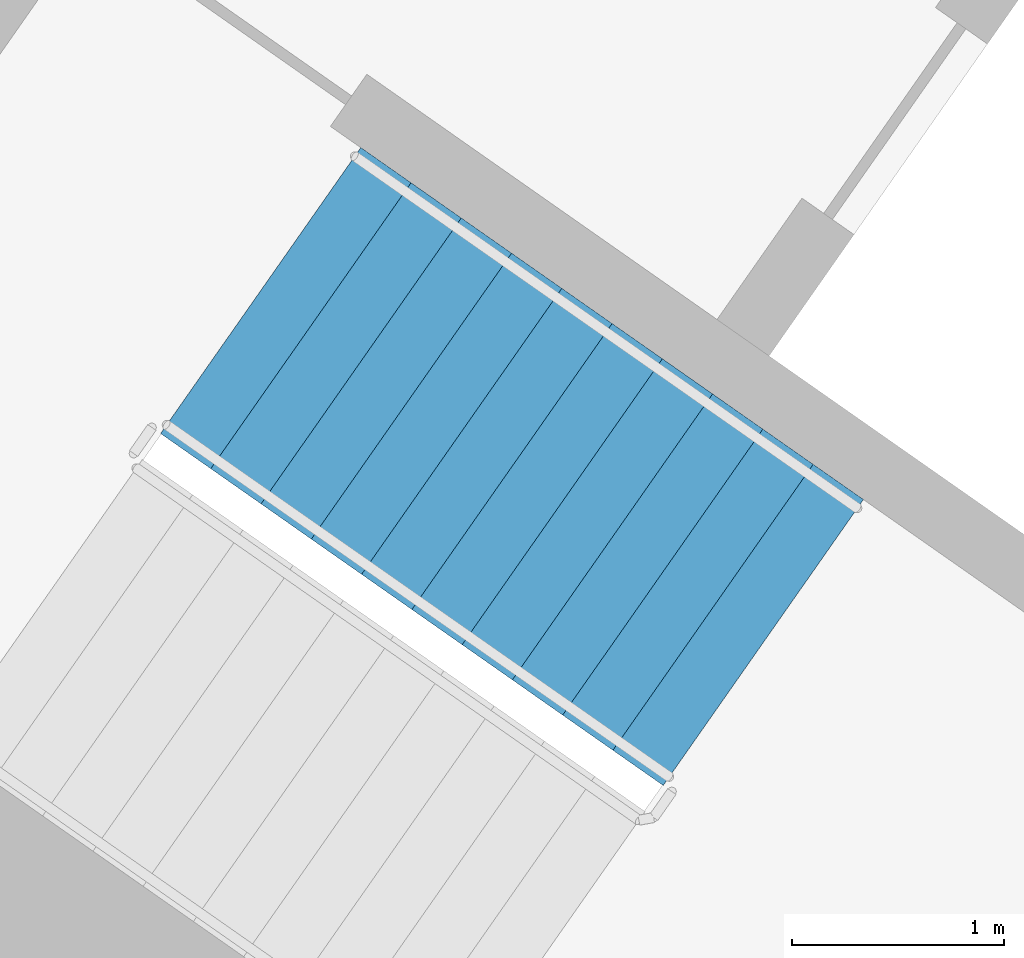
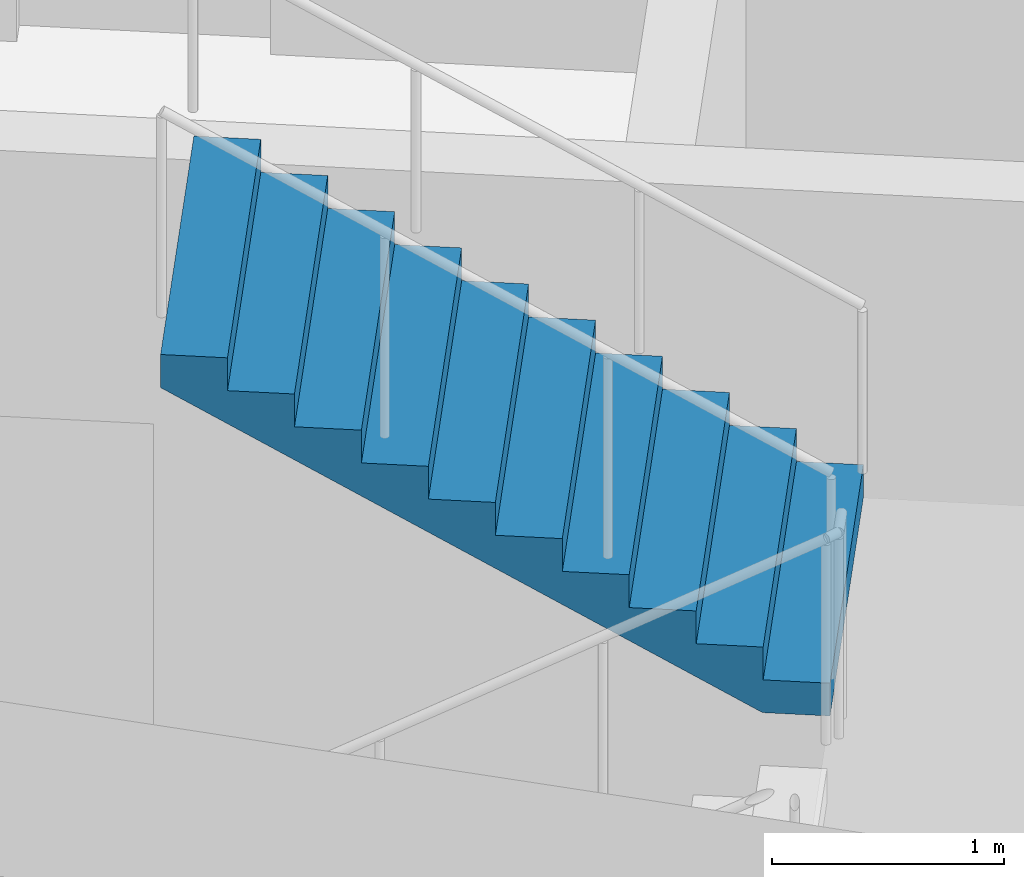
# One storey, part 13 of 30: 1 stair flight, 1 element without a shape of its own.
"""IFC4 building model written with IfcOpenShell, lengths in metres."""

import ifcopenshell
import ifcopenshell.guid

model = None  # the IFC model being written
_history = None  # IfcOwnerHistory: only IFC2X3 demands one
_inside = {}  # id of a spatial element -> (the spatial element, [elements in it])
_under = {}  # id of a project, library or spatial element -> (it, [spatial elements below it])
_declared = {}  # id of a project -> (the project, [libraries it declares])
_typed = {}  # id of a type object -> (the type object, [elements of that type])
_made_of = {}  # id of a material, layer set ... -> (it, [elements and type objects made of it])


def new_model(schema):
    """Start an empty IFC model of exactly this schema.

    Asked for "IFC4X3", IfcOpenShell would pick the latest addendum, in which some entities
    have other attributes; the version numbers below select the first issue.
    IFC2X3 requires an IfcOwnerHistory on every rooted entity: one is made here for all.
    """
    global model, _history
    if schema == "IFC4X3":
        model = ifcopenshell.file(schema_version=(4, 3, 0, 0))
    else:
        model = ifcopenshell.file(schema=schema)
    _inside.clear()
    _under.clear()
    _declared.clear()
    _typed.clear()
    _made_of.clear()
    _history = None
    if model.schema == "IFC2X3":
        org = make("IfcOrganization", Name="unknown")
        user = make(
            "IfcPersonAndOrganization",
            ThePerson=make("IfcPerson", FamilyName="unknown"),
            TheOrganization=org,
        )
        app = make(
            "IfcApplication",
            ApplicationDeveloper=org,
            Version="unknown",
            ApplicationFullName="unknown",
            ApplicationIdentifier="unknown",
        )
        _history = make(
            "IfcOwnerHistory",
            OwningUser=user,
            OwningApplication=app,
            ChangeAction="ADDED",
            CreationDate=0,
        )
    return model


def make(cls, **values):
    """One entity of the class cls with the attributes given. An attribute that is None is left unset."""
    return model.create_entity(
        cls, **{name: value for name, value in values.items() if value is not None}
    )


def rooted(cls, **values):
    """An entity with a GlobalId (a new one), such as an element, a storey or a relation."""
    return make(cls, GlobalId=ifcopenshell.guid.new(), OwnerHistory=_history, **values)


def si_unit(unit_type, name, prefix=None):
    """IfcSIUnit, for example si_unit("LENGTHUNIT", "METRE", prefix="MILLI")."""
    return make("IfcSIUnit", UnitType=unit_type, Prefix=prefix, Name=name)


def assignment(units):
    """IfcUnitAssignment: the units of a project."""
    return None if units is None else make("IfcUnitAssignment", Units=units)


def point(xyz):
    """IfcCartesianPoint."""
    return None if xyz is None else make("IfcCartesianPoint", Coordinates=xyz)


def direction(xyz):
    """IfcDirection."""
    return None if xyz is None else make("IfcDirection", DirectionRatios=xyz)


def frame(location, z_axis=None, x_axis=None):
    """IfcAxis2Placement3D, a coordinate frame: its origin and axes. An axis left out is left unset."""
    return make(
        "IfcAxis2Placement3D",
        Location=point(location),
        Axis=direction(z_axis),
        RefDirection=direction(x_axis),
    )


def origin():
    """The frame at (0, 0, 0) with its axes left unset."""
    return frame((0.0, 0.0, 0.0))


def place(relative_to, where):
    """IfcLocalPlacement: puts the frame where relative to a parent placement (None: the world)."""
    return make(
        "IfcLocalPlacement", PlacementRelTo=relative_to, RelativePlacement=where
    )


def context(
    kind, dimensions, precision=None, world=None, true_north=None, identifier=None
):
    """IfcGeometricRepresentationContext, for example the 3D "Model" context."""
    return make(
        "IfcGeometricRepresentationContext",
        ContextIdentifier=identifier,
        ContextType=kind,
        CoordinateSpaceDimension=dimensions,
        Precision=precision,
        WorldCoordinateSystem=world,
        TrueNorth=true_north,
    )


def subcontext(parent, identifier, kind, view, scale=None):
    """IfcGeometricRepresentationSubContext, for example "Body" below "Model"."""
    return make(
        "IfcGeometricRepresentationSubContext",
        ContextIdentifier=identifier,
        ContextType=kind,
        ParentContext=parent,
        TargetScale=scale,
        TargetView=view,
    )


def project(units=None, contexts=None):
    """IfcProject with its units and contexts."""
    return rooted(
        "IfcProject",
        Name="project",
        RepresentationContexts=contexts,
        UnitsInContext=assignment(units),
    )


def spatial(cls, under=None, at=None, **own):
    """A site, building, storey or space (cls), placed at a placement, below another one or the project."""
    s = rooted(cls, ObjectPlacement=at, **own)
    if under is not None:
        _under.setdefault(under.id(), (under, []))[1].append(s)
    return s


def faces_of(points, faces, orient=None, outer=None):
    """IfcFace entities. A face is a list of loops; a loop is a list of indices into points, from 0.

    orient and outer hold one flag for each loop. By default every Orientation is true, the
    first loop of a face is its IfcFaceOuterBound and the others are IfcFaceBound.
    """
    made = []
    for i, loops in enumerate(faces):
        bounds = []
        for j, loop in enumerate(loops):
            is_outer = j == 0 if outer is None else outer[i][j]
            bounds.append(
                make(
                    "IfcFaceOuterBound" if is_outer else "IfcFaceBound",
                    Bound=make("IfcPolyLoop", Polygon=[points[k] for k in loop]),
                    Orientation=True if orient is None else orient[i][j],
                )
            )
        made.append(make("IfcFace", Bounds=bounds))
    return made


def faceted_brep(points, faces, orient=None, outer=None, voids=None):
    """IfcFacetedBrep: a solid bounded by flat faces; with voids (closed shells), ...WithVoids."""
    shared = [point(p) for p in points]
    hull = make("IfcClosedShell", CfsFaces=faces_of(shared, faces, orient, outer))
    if voids is None:
        return make("IfcFacetedBrep", Outer=hull)
    return make(
        "IfcFacetedBrepWithVoids",
        Outer=hull,
        Voids=[
            make(cls, CfsFaces=faces_of(shared, fs, o, b)) for cls, fs, o, b in voids
        ],
    )


def shape(context_of_items, identifier, shape_type, items):
    """IfcShapeRepresentation: the items that make up one representation, for example the "Body"."""
    return make(
        "IfcShapeRepresentation",
        ContextOfItems=context_of_items,
        RepresentationIdentifier=identifier,
        RepresentationType=shape_type,
        Items=items,
    )


def material(Name=None, Category=None):
    """IfcMaterial."""
    return make("IfcMaterial", Name=Name, Category=Category)


def made_of(thing, what):
    """Note that an element or type object is made of a material, layer set ...; save() writes the relation."""
    if what is not None:
        _made_of.setdefault(what.id(), (what, []))[1].append(thing)
    return thing


def type_object(cls, material=None, **own):
    """A type object (cls), such as IfcWallType, which elements share."""
    return made_of(rooted(cls, **own), material)


def element(
    cls,
    number,
    at=None,
    inside=None,
    cuts=None,
    type_object=None,
    material=None,
    context=None,
    identifier="Body",
    shape_type=None,
    held_by="IfcProductDefinitionShape",
    body=None,
    shapes=None,
    **own,
):
    """One element of the class cls, such as IfcWall. Its Tag is "e" and its number.

    at: its placement. inside: the storey or other place that contains it. cuts: it is an
    opening in that element (IfcRelVoidsElement). A single representation is given by context,
    identifier, shape_type and body (its items); several are given by shapes. held_by: the class
    of the entity that holds the representations. save() writes the other relations.
    """
    e = rooted(cls, Tag="e%d" % number, ObjectPlacement=at, **own)
    if body is not None:
        shapes = [shape(context, identifier, shape_type, body)]
    if shapes is not None:
        e.Representation = make(held_by, Representations=shapes)
    if inside is not None:
        _inside.setdefault(inside.id(), (inside, []))[1].append(e)
    if cuts is not None:
        rooted(
            "IfcRelVoidsElement", RelatingBuildingElement=cuts, RelatedOpeningElement=e
        )
    if type_object is not None:
        _typed.setdefault(type_object.id(), (type_object, []))[1].append(e)
    return made_of(e, material)


def aggregate(whole, parts):
    """IfcRelAggregates: a whole, such as a stair, and the parts it consists of."""
    return rooted("IfcRelAggregates", RelatingObject=whole, RelatedObjects=parts)


def save(model, path):
    """Write the relations noted so far, then the file.

    IfcRelAggregates (storeys below a building ...), IfcRelContainedInSpatialStructure (elements
    in a storey), IfcRelDefinesByType, IfcRelAssociatesMaterial and IfcRelDeclares: one each for
    every whole, place, type object, material and project.
    """
    for whole, parts in _under.values():
        aggregate(whole, parts)
    for where, things in _inside.values():
        rooted(
            "IfcRelContainedInSpatialStructure",
            RelatedElements=things,
            RelatingStructure=where,
        )
    for kind, things in _typed.values():
        rooted("IfcRelDefinesByType", RelatedObjects=things, RelatingType=kind)
    for what, things in _made_of.values():
        rooted("IfcRelAssociatesMaterial", RelatedObjects=things, RelatingMaterial=what)
    for by, libraries in _declared.values():
        rooted("IfcRelDeclares", RelatingContext=by, RelatedDefinitions=libraries)
    model.write(path)


model = new_model("IFC4")

# Units and contexts
model_context = context("Model", 3, precision=1e-05, world=origin(), true_north=direction((0.0, 1.0)))
body_context = subcontext(model_context, "Body", "Model", "MODEL_VIEW")
ifc_project = project(units=[si_unit("LENGTHUNIT", "METRE"), si_unit("AREAUNIT", "SQUARE_METRE"), si_unit("VOLUMEUNIT", "CUBIC_METRE"), si_unit("PLANEANGLEUNIT", "RADIAN"), si_unit("MASSUNIT", "GRAM", prefix="KILO")], contexts=[model_context])

# Site, building, storey
site_placement = place(None, origin())
site = spatial("IfcSite", under=ifc_project, at=site_placement, CompositionType="ELEMENT")
building_placement = place(site_placement, origin())
building = spatial("IfcBuilding", under=site, at=building_placement, Name="Qamariyya Broadcast Tower", CompositionType="ELEMENT")
storey_placement = place(building_placement, frame((0.0, 0.0, 67.10009765625)))
storey = spatial("IfcBuildingStorey", under=building, at=storey_placement, Name="L13", CompositionType="ELEMENT", Elevation=67.10009765625)

# Stair, stair flight
ifc_material = material(Name="Concrete C50/60", Category="concrete")
stair_type = type_object("IfcStairType", Name="Exit stair 22 risers of 173 mm", PredefinedType="HALF_TURN_STAIR", material=ifc_material)
stair_placement = place(storey_placement, origin())
stair = element("IfcStair", 1, at=stair_placement, inside=storey, type_object=stair_type, Name="L13 Stair W1", PredefinedType="HALF_TURN_STAIR")
stair_flight_type = type_object("IfcStairFlightType", Name="Exit stair flight 11 risers of 173 mm", PredefinedType="STRAIGHT", material=ifc_material)
stair_flight_placement = place(storey_placement, frame((-43.660888671875, -57.17138671875, 1.89990234375), z_axis=(0.0, 0.0, 1.0), x_axis=(-0.819152044289, 0.573576436351, 0.0)))
stair_flight = element("IfcStairFlight", 2, at=stair_flight_placement, type_object=stair_flight_type, Name="ST-W1 flight 2", NumberOfRisers=11, NumberOfTreads=10, PredefinedType="STRAIGHT", RiserHeight=0.172727273, TreadLength=0.29, context=body_context, shape_type="Brep", body=[
    faceted_brep([(0.0, 0.824951171875, 0.0), (0.0, 0.824951171875, 0.172607421875), (0.2900390625, 0.824951171875, 0.172607421875), (0.2900390625, 0.824951171875, 0.345458984375), (0.580078125, 0.824951171875, 0.345458984375), (0.580078125, 0.824951171875, 0.51806640625), (0.8701171875, 0.824951171875, 0.51806640625), (0.8701171875, 0.824951171875, 0.69091796875), (1.159912109375, 0.824951171875, 0.69091796875), (1.159912109375, 0.824951171875, 0.863525390625), (1.449951171875, 0.824951171875, 0.863525390625), (1.449951171875, 0.824951171875, 1.036376953125), (1.739990234375, 0.824951171875, 1.036376953125), (1.739990234375, 0.824951171875, 1.208984375), (2.030029296875, 0.824951171875, 1.208984375), (2.030029296875, 0.824951171875, 1.3818359375), (2.320068359375, 0.824951171875, 1.3818359375), (2.320068359375, 0.824951171875, 1.554443359375), (2.610107421875, 0.824951171875, 1.554443359375), (2.610107421875, 0.824951171875, 1.727294921875), (2.89990234375, 0.824951171875, 1.727294921875), (2.89990234375, 0.824951171875, 1.552734375), (0.29296875, 0.824951171875, 0.0), (0.29296875, -0.824951171875, 0.0), (2.89990234375, -0.824951171875, 1.552734375), (2.89990234375, -0.824951171875, 1.727294921875), (2.610107421875, -0.824951171875, 1.727294921875), (2.610107421875, -0.824951171875, 1.554443359375), (2.320068359375, -0.824951171875, 1.554443359375), (2.320068359375, -0.824951171875, 1.3818359375), (2.030029296875, -0.824951171875, 1.3818359375), (2.030029296875, -0.824951171875, 1.208984375), (1.739990234375, -0.824951171875, 1.208984375), (1.739990234375, -0.824951171875, 1.036376953125), (1.449951171875, -0.824951171875, 1.036376953125), (1.449951171875, -0.824951171875, 0.863525390625), (1.159912109375, -0.824951171875, 0.863525390625), (1.159912109375, -0.824951171875, 0.69091796875), (0.8701171875, -0.824951171875, 0.69091796875), (0.8701171875, -0.824951171875, 0.51806640625), (0.580078125, -0.824951171875, 0.51806640625), (0.580078125, -0.824951171875, 0.345458984375), (0.2900390625, -0.824951171875, 0.345458984375), (0.2900390625, -0.824951171875, 0.172607421875), (0.0, -0.824951171875, 0.172607421875), (0.0, -0.824951171875, 0.0), (0.0, 0.10009765625, 0.0), (0.0, 0.086669921875, 0.0), (0.0, 0.0732421875, 0.0), (0.0, 0.06005859375, 0.0), (0.0, 0.046630859375, 0.0), (0.0, 0.033447265625, 0.0), (0.0, 0.02001953125, 0.0), (0.0, 0.006591796875, 0.0), (0.0, -0.006591796875, 0.0), (0.0, -0.02001953125, 0.0), (0.0, -0.033447265625, 0.0), (0.0, -0.046630859375, 0.0), (0.0, -0.06005859375, 0.0), (0.0, -0.0732421875, 0.0), (0.0, -0.086669921875, 0.0), (0.0, -0.10009765625, 0.0), (0.0, -0.10009765625, 0.172607421875), (0.0, -0.086669921875, 0.172607421875), (0.0, -0.0732421875, 0.172607421875), (0.0, -0.06005859375, 0.172607421875), (0.0, -0.046630859375, 0.172607421875), (0.0, -0.033447265625, 0.172607421875), (0.0, -0.02001953125, 0.172607421875), (0.0, -0.006591796875, 0.172607421875), (0.0, 0.006591796875, 0.172607421875), (0.0, 0.02001953125, 0.172607421875), (0.0, 0.033447265625, 0.172607421875), (0.0, 0.046630859375, 0.172607421875), (0.0, 0.06005859375, 0.172607421875), (0.0, 0.0732421875, 0.172607421875), (0.0, 0.086669921875, 0.172607421875), (0.0, 0.10009765625, 0.172607421875), (0.2900390625, -0.10009765625, 0.172607421875), (0.2900390625, -0.086669921875, 0.172607421875), (0.2900390625, -0.0732421875, 0.172607421875), (0.2900390625, -0.06005859375, 0.172607421875), (0.2900390625, -0.046630859375, 0.172607421875), (0.2900390625, -0.033447265625, 0.172607421875), (0.2900390625, -0.02001953125, 0.172607421875), (0.2900390625, -0.006591796875, 0.172607421875), (0.2900390625, 0.006591796875, 0.172607421875), (0.2900390625, 0.02001953125, 0.172607421875), (0.2900390625, 0.033447265625, 0.172607421875), (0.2900390625, 0.046630859375, 0.172607421875), (0.2900390625, 0.06005859375, 0.172607421875), (0.2900390625, 0.0732421875, 0.172607421875), (0.2900390625, 0.086669921875, 0.172607421875), (0.2900390625, 0.10009765625, 0.172607421875), (0.2900390625, -0.10009765625, 0.345458984375), (0.2900390625, -0.086669921875, 0.345458984375), (0.2900390625, -0.0732421875, 0.345458984375), (0.2900390625, -0.06005859375, 0.345458984375), (0.2900390625, -0.046630859375, 0.345458984375), (0.2900390625, -0.033447265625, 0.345458984375), (0.2900390625, -0.02001953125, 0.345458984375), (0.2900390625, -0.006591796875, 0.345458984375), (0.2900390625, 0.006591796875, 0.345458984375), (0.2900390625, 0.02001953125, 0.345458984375), (0.2900390625, 0.033447265625, 0.345458984375), (0.2900390625, 0.046630859375, 0.345458984375), (0.2900390625, 0.06005859375, 0.345458984375), (0.2900390625, 0.0732421875, 0.345458984375), (0.2900390625, 0.086669921875, 0.345458984375), (0.2900390625, 0.10009765625, 0.345458984375), (0.580078125, -0.10009765625, 0.345458984375), (0.580078125, -0.086669921875, 0.345458984375), (0.580078125, -0.0732421875, 0.345458984375), (0.580078125, -0.06005859375, 0.345458984375), (0.580078125, -0.046630859375, 0.345458984375), (0.580078125, -0.033447265625, 0.345458984375), (0.580078125, -0.02001953125, 0.345458984375), (0.580078125, -0.006591796875, 0.345458984375), (0.580078125, 0.006591796875, 0.345458984375), (0.580078125, 0.02001953125, 0.345458984375), (0.580078125, 0.033447265625, 0.345458984375), (0.580078125, 0.046630859375, 0.345458984375), (0.580078125, 0.06005859375, 0.345458984375), (0.580078125, 0.0732421875, 0.345458984375), (0.580078125, 0.086669921875, 0.345458984375), (0.580078125, 0.10009765625, 0.345458984375), (0.580078125, -0.10009765625, 0.51806640625), (0.580078125, -0.086669921875, 0.51806640625), (0.580078125, -0.0732421875, 0.51806640625), (0.580078125, -0.06005859375, 0.51806640625), (0.580078125, -0.046630859375, 0.51806640625), (0.580078125, -0.033447265625, 0.51806640625), (0.580078125, -0.02001953125, 0.51806640625), (0.580078125, -0.006591796875, 0.51806640625), (0.580078125, 0.006591796875, 0.51806640625), (0.580078125, 0.02001953125, 0.51806640625), (0.580078125, 0.033447265625, 0.51806640625), (0.580078125, 0.046630859375, 0.51806640625), (0.580078125, 0.06005859375, 0.51806640625), (0.580078125, 0.0732421875, 0.51806640625), (0.580078125, 0.086669921875, 0.51806640625), (0.580078125, 0.10009765625, 0.51806640625), (0.8701171875, -0.10009765625, 0.51806640625), (0.8701171875, -0.086669921875, 0.51806640625), (0.8701171875, -0.0732421875, 0.51806640625), (0.8701171875, -0.06005859375, 0.51806640625), (0.8701171875, -0.046630859375, 0.51806640625), (0.8701171875, -0.033447265625, 0.51806640625), (0.8701171875, -0.02001953125, 0.51806640625), (0.8701171875, -0.006591796875, 0.51806640625), (0.8701171875, 0.006591796875, 0.51806640625), (0.8701171875, 0.02001953125, 0.51806640625), (0.8701171875, 0.033447265625, 0.51806640625), (0.8701171875, 0.046630859375, 0.51806640625), (0.8701171875, 0.06005859375, 0.51806640625), (0.8701171875, 0.0732421875, 0.51806640625), (0.8701171875, 0.086669921875, 0.51806640625), (0.8701171875, 0.10009765625, 0.51806640625), (0.8701171875, -0.10009765625, 0.69091796875), (0.8701171875, -0.086669921875, 0.69091796875), (0.8701171875, -0.0732421875, 0.69091796875), (0.8701171875, -0.06005859375, 0.69091796875), (0.8701171875, -0.046630859375, 0.69091796875), (0.8701171875, -0.033447265625, 0.69091796875), (0.8701171875, -0.02001953125, 0.69091796875), (0.8701171875, -0.006591796875, 0.69091796875), (0.8701171875, 0.006591796875, 0.69091796875), (0.8701171875, 0.02001953125, 0.69091796875), (0.8701171875, 0.033447265625, 0.69091796875), (0.8701171875, 0.046630859375, 0.69091796875), (0.8701171875, 0.06005859375, 0.69091796875), (0.8701171875, 0.0732421875, 0.69091796875), (0.8701171875, 0.086669921875, 0.69091796875), (0.8701171875, 0.10009765625, 0.69091796875), (1.159912109375, -0.10009765625, 0.69091796875), (1.159912109375, -0.086669921875, 0.69091796875), (1.159912109375, -0.0732421875, 0.69091796875), (1.159912109375, -0.06005859375, 0.69091796875), (1.159912109375, -0.046630859375, 0.69091796875), (1.159912109375, -0.033447265625, 0.69091796875), (1.159912109375, -0.02001953125, 0.69091796875), (1.159912109375, -0.006591796875, 0.69091796875), (1.159912109375, 0.006591796875, 0.69091796875), (1.159912109375, 0.02001953125, 0.69091796875), (1.159912109375, 0.033447265625, 0.69091796875), (1.159912109375, 0.046630859375, 0.69091796875), (1.159912109375, 0.06005859375, 0.69091796875), (1.159912109375, 0.0732421875, 0.69091796875), (1.159912109375, 0.086669921875, 0.69091796875), (1.159912109375, 0.10009765625, 0.69091796875), (1.159912109375, -0.10009765625, 0.863525390625), (1.159912109375, -0.086669921875, 0.863525390625), (1.159912109375, -0.0732421875, 0.863525390625), (1.159912109375, -0.06005859375, 0.863525390625), (1.159912109375, -0.046630859375, 0.863525390625), (1.159912109375, -0.033447265625, 0.863525390625), (1.159912109375, -0.02001953125, 0.863525390625), (1.159912109375, -0.006591796875, 0.863525390625), (1.159912109375, 0.006591796875, 0.863525390625), (1.159912109375, 0.02001953125, 0.863525390625), (1.159912109375, 0.033447265625, 0.863525390625), (1.159912109375, 0.046630859375, 0.863525390625), (1.159912109375, 0.06005859375, 0.863525390625), (1.159912109375, 0.0732421875, 0.863525390625), (1.159912109375, 0.086669921875, 0.863525390625), (1.159912109375, 0.10009765625, 0.863525390625), (1.449951171875, -0.10009765625, 0.863525390625), (1.449951171875, -0.086669921875, 0.863525390625), (1.449951171875, -0.0732421875, 0.863525390625), (1.449951171875, -0.06005859375, 0.863525390625), (1.449951171875, -0.046630859375, 0.863525390625), (1.449951171875, -0.033447265625, 0.863525390625), (1.449951171875, -0.02001953125, 0.863525390625), (1.449951171875, -0.006591796875, 0.863525390625), (1.449951171875, 0.006591796875, 0.863525390625), (1.449951171875, 0.02001953125, 0.863525390625), (1.449951171875, 0.033447265625, 0.863525390625), (1.449951171875, 0.046630859375, 0.863525390625), (1.449951171875, 0.06005859375, 0.863525390625), (1.449951171875, 0.0732421875, 0.863525390625), (1.449951171875, 0.086669921875, 0.863525390625), (1.449951171875, 0.10009765625, 0.863525390625), (1.449951171875, -0.10009765625, 1.036376953125), (1.449951171875, -0.086669921875, 1.036376953125), (1.449951171875, -0.0732421875, 1.036376953125), (1.449951171875, -0.06005859375, 1.036376953125), (1.449951171875, -0.046630859375, 1.036376953125), (1.449951171875, -0.033447265625, 1.036376953125), (1.449951171875, -0.02001953125, 1.036376953125), (1.449951171875, -0.006591796875, 1.036376953125), (1.449951171875, 0.006591796875, 1.036376953125), (1.449951171875, 0.02001953125, 1.036376953125), (1.449951171875, 0.033447265625, 1.036376953125), (1.449951171875, 0.046630859375, 1.036376953125), (1.449951171875, 0.06005859375, 1.036376953125), (1.449951171875, 0.0732421875, 1.036376953125), (1.449951171875, 0.086669921875, 1.036376953125), (1.449951171875, 0.10009765625, 1.036376953125), (1.739990234375, -0.10009765625, 1.036376953125), (1.739990234375, -0.086669921875, 1.036376953125), (1.739990234375, -0.0732421875, 1.036376953125), (1.739990234375, -0.06005859375, 1.036376953125), (1.739990234375, -0.046630859375, 1.036376953125), (1.739990234375, -0.033447265625, 1.036376953125), (1.739990234375, -0.02001953125, 1.036376953125), (1.739990234375, -0.006591796875, 1.036376953125), (1.739990234375, 0.006591796875, 1.036376953125), (1.739990234375, 0.02001953125, 1.036376953125), (1.739990234375, 0.033447265625, 1.036376953125), (1.739990234375, 0.046630859375, 1.036376953125), (1.739990234375, 0.06005859375, 1.036376953125), (1.739990234375, 0.0732421875, 1.036376953125), (1.739990234375, 0.086669921875, 1.036376953125), (1.739990234375, 0.10009765625, 1.036376953125), (1.739990234375, -0.10009765625, 1.208984375), (1.739990234375, -0.086669921875, 1.208984375), (1.739990234375, -0.0732421875, 1.208984375), (1.739990234375, -0.06005859375, 1.208984375), (1.739990234375, -0.046630859375, 1.208984375), (1.739990234375, -0.033447265625, 1.208984375), (1.739990234375, -0.02001953125, 1.208984375), (1.739990234375, -0.006591796875, 1.208984375), (1.739990234375, 0.006591796875, 1.208984375), (1.739990234375, 0.02001953125, 1.208984375), (1.739990234375, 0.033447265625, 1.208984375), (1.739990234375, 0.046630859375, 1.208984375), (1.739990234375, 0.06005859375, 1.208984375), (1.739990234375, 0.0732421875, 1.208984375), (1.739990234375, 0.086669921875, 1.208984375), (1.739990234375, 0.10009765625, 1.208984375), (2.030029296875, -0.10009765625, 1.208984375), (2.030029296875, -0.086669921875, 1.208984375), (2.030029296875, -0.0732421875, 1.208984375), (2.030029296875, -0.06005859375, 1.208984375), (2.030029296875, -0.046630859375, 1.208984375), (2.030029296875, -0.033447265625, 1.208984375), (2.030029296875, -0.02001953125, 1.208984375), (2.030029296875, -0.006591796875, 1.208984375), (2.030029296875, 0.006591796875, 1.208984375), (2.030029296875, 0.02001953125, 1.208984375), (2.030029296875, 0.033447265625, 1.208984375), (2.030029296875, 0.046630859375, 1.208984375), (2.030029296875, 0.06005859375, 1.208984375), (2.030029296875, 0.0732421875, 1.208984375), (2.030029296875, 0.086669921875, 1.208984375), (2.030029296875, 0.10009765625, 1.208984375), (2.030029296875, -0.10009765625, 1.3818359375), (2.030029296875, -0.086669921875, 1.3818359375), (2.030029296875, -0.0732421875, 1.3818359375), (2.030029296875, -0.06005859375, 1.3818359375), (2.030029296875, -0.046630859375, 1.3818359375), (2.030029296875, -0.033447265625, 1.3818359375), (2.030029296875, -0.02001953125, 1.3818359375), (2.030029296875, -0.006591796875, 1.3818359375), (2.030029296875, 0.006591796875, 1.3818359375), (2.030029296875, 0.02001953125, 1.3818359375), (2.030029296875, 0.033447265625, 1.3818359375), (2.030029296875, 0.046630859375, 1.3818359375), (2.030029296875, 0.06005859375, 1.3818359375), (2.030029296875, 0.0732421875, 1.3818359375), (2.030029296875, 0.086669921875, 1.3818359375), (2.030029296875, 0.10009765625, 1.3818359375), (2.320068359375, -0.10009765625, 1.3818359375), (2.320068359375, -0.086669921875, 1.3818359375), (2.320068359375, -0.0732421875, 1.3818359375), (2.320068359375, -0.06005859375, 1.3818359375), (2.320068359375, -0.046630859375, 1.3818359375), (2.320068359375, -0.033447265625, 1.3818359375), (2.320068359375, -0.02001953125, 1.3818359375), (2.320068359375, -0.006591796875, 1.3818359375), (2.320068359375, 0.006591796875, 1.3818359375), (2.320068359375, 0.02001953125, 1.3818359375), (2.320068359375, 0.033447265625, 1.3818359375), (2.320068359375, 0.046630859375, 1.3818359375), (2.320068359375, 0.06005859375, 1.3818359375), (2.320068359375, 0.0732421875, 1.3818359375), (2.320068359375, 0.086669921875, 1.3818359375), (2.320068359375, 0.10009765625, 1.3818359375), (2.320068359375, -0.10009765625, 1.554443359375), (2.320068359375, -0.086669921875, 1.554443359375), (2.320068359375, -0.0732421875, 1.554443359375), (2.320068359375, -0.06005859375, 1.554443359375), (2.320068359375, -0.046630859375, 1.554443359375), (2.320068359375, -0.033447265625, 1.554443359375), (2.320068359375, -0.02001953125, 1.554443359375), (2.320068359375, -0.006591796875, 1.554443359375), (2.320068359375, 0.006591796875, 1.554443359375), (2.320068359375, 0.02001953125, 1.554443359375), (2.320068359375, 0.033447265625, 1.554443359375), (2.320068359375, 0.046630859375, 1.554443359375), (2.320068359375, 0.06005859375, 1.554443359375), (2.320068359375, 0.0732421875, 1.554443359375), (2.320068359375, 0.086669921875, 1.554443359375), (2.320068359375, 0.10009765625, 1.554443359375), (2.610107421875, -0.10009765625, 1.554443359375), (2.610107421875, -0.086669921875, 1.554443359375), (2.610107421875, -0.0732421875, 1.554443359375), (2.610107421875, -0.06005859375, 1.554443359375), (2.610107421875, -0.046630859375, 1.554443359375), (2.610107421875, -0.033447265625, 1.554443359375), (2.610107421875, -0.02001953125, 1.554443359375), (2.610107421875, -0.006591796875, 1.554443359375), (2.610107421875, 0.006591796875, 1.554443359375), (2.610107421875, 0.02001953125, 1.554443359375), (2.610107421875, 0.033447265625, 1.554443359375), (2.610107421875, 0.046630859375, 1.554443359375), (2.610107421875, 0.06005859375, 1.554443359375), (2.610107421875, 0.0732421875, 1.554443359375), (2.610107421875, 0.086669921875, 1.554443359375), (2.610107421875, 0.10009765625, 1.554443359375), (2.610107421875, -0.10009765625, 1.727294921875), (2.610107421875, -0.086669921875, 1.727294921875), (2.610107421875, -0.0732421875, 1.727294921875), (2.610107421875, -0.06005859375, 1.727294921875), (2.610107421875, -0.046630859375, 1.727294921875), (2.610107421875, -0.033447265625, 1.727294921875), (2.610107421875, -0.02001953125, 1.727294921875), (2.610107421875, -0.006591796875, 1.727294921875), (2.610107421875, 0.006591796875, 1.727294921875), (2.610107421875, 0.02001953125, 1.727294921875), (2.610107421875, 0.033447265625, 1.727294921875), (2.610107421875, 0.046630859375, 1.727294921875), (2.610107421875, 0.06005859375, 1.727294921875), (2.610107421875, 0.0732421875, 1.727294921875), (2.610107421875, 0.086669921875, 1.727294921875), (2.610107421875, 0.10009765625, 1.727294921875), (2.89990234375, -0.10009765625, 1.727294921875), (2.89990234375, -0.086669921875, 1.727294921875), (2.89990234375, -0.0732421875, 1.727294921875), (2.89990234375, -0.06005859375, 1.727294921875), (2.89990234375, -0.046630859375, 1.727294921875), (2.89990234375, -0.033447265625, 1.727294921875), (2.89990234375, -0.02001953125, 1.727294921875), (2.89990234375, -0.006591796875, 1.727294921875), (2.89990234375, 0.006591796875, 1.727294921875), (2.89990234375, 0.02001953125, 1.727294921875), (2.89990234375, 0.033447265625, 1.727294921875), (2.89990234375, 0.046630859375, 1.727294921875), (2.89990234375, 0.06005859375, 1.727294921875), (2.89990234375, 0.0732421875, 1.727294921875), (2.89990234375, 0.086669921875, 1.727294921875), (2.89990234375, 0.10009765625, 1.727294921875), (2.89990234375, -0.10009765625, 1.552734375), (2.89990234375, -0.086669921875, 1.552734375), (2.89990234375, -0.0732421875, 1.552734375), (2.89990234375, -0.06005859375, 1.552734375), (2.89990234375, -0.046630859375, 1.552734375), (2.89990234375, -0.033447265625, 1.552734375), (2.89990234375, -0.02001953125, 1.552734375), (2.89990234375, -0.006591796875, 1.552734375), (2.89990234375, 0.006591796875, 1.552734375), (2.89990234375, 0.02001953125, 1.552734375), (2.89990234375, 0.033447265625, 1.552734375), (2.89990234375, 0.046630859375, 1.552734375), (2.89990234375, 0.06005859375, 1.552734375), (2.89990234375, 0.0732421875, 1.552734375), (2.89990234375, 0.086669921875, 1.552734375), (2.89990234375, 0.10009765625, 1.552734375), (0.29296875, -0.10009765625, 0.0), (0.29296875, -0.086669921875, 0.0), (0.29296875, -0.0732421875, 0.0), (0.29296875, -0.06005859375, 0.0), (0.29296875, -0.046630859375, 0.0), (0.29296875, -0.033447265625, 0.0), (0.29296875, -0.02001953125, 0.0), (0.29296875, -0.006591796875, 0.0), (0.29296875, 0.006591796875, 0.0), (0.29296875, 0.02001953125, 0.0), (0.29296875, 0.033447265625, 0.0), (0.29296875, 0.046630859375, 0.0), (0.29296875, 0.06005859375, 0.0), (0.29296875, 0.0732421875, 0.0), (0.29296875, 0.086669921875, 0.0), (0.29296875, 0.10009765625, 0.0)], [[[0, 1, 2, 3, 4, 5, 6, 7, 8, 9, 10, 11, 12, 13, 14, 15, 16, 17, 18, 19, 20, 21, 22]], [[23, 24, 25, 26, 27, 28, 29, 30, 31, 32, 33, 34, 35, 36, 37, 38, 39, 40, 41, 42, 43, 44, 45]], [[0, 46, 47, 48, 49, 50, 51, 52, 53, 54, 55, 56, 57, 58, 59, 60, 61, 45, 44, 62, 63, 64, 65, 66, 67, 68, 69, 70, 71, 72, 73, 74, 75, 76, 77, 1]], [[1, 77, 76, 75, 74, 73, 72, 71, 70, 69, 68, 67, 66, 65, 64, 63, 62, 44, 43, 78, 79, 80, 81, 82, 83, 84, 85, 86, 87, 88, 89, 90, 91, 92, 93, 2]], [[2, 93, 92, 91, 90, 89, 88, 87, 86, 85, 84, 83, 82, 81, 80, 79, 78, 43, 42, 94, 95, 96, 97, 98, 99, 100, 101, 102, 103, 104, 105, 106, 107, 108, 109, 3]], [[3, 109, 108, 107, 106, 105, 104, 103, 102, 101, 100, 99, 98, 97, 96, 95, 94, 42, 41, 110, 111, 112, 113, 114, 115, 116, 117, 118, 119, 120, 121, 122, 123, 124, 125, 4]], [[4, 125, 124, 123, 122, 121, 120, 119, 118, 117, 116, 115, 114, 113, 112, 111, 110, 41, 40, 126, 127, 128, 129, 130, 131, 132, 133, 134, 135, 136, 137, 138, 139, 140, 141, 5]], [[5, 141, 140, 139, 138, 137, 136, 135, 134, 133, 132, 131, 130, 129, 128, 127, 126, 40, 39, 142, 143, 144, 145, 146, 147, 148, 149, 150, 151, 152, 153, 154, 155, 156, 157, 6]], [[6, 157, 156, 155, 154, 153, 152, 151, 150, 149, 148, 147, 146, 145, 144, 143, 142, 39, 38, 158, 159, 160, 161, 162, 163, 164, 165, 166, 167, 168, 169, 170, 171, 172, 173, 7]], [[7, 173, 172, 171, 170, 169, 168, 167, 166, 165, 164, 163, 162, 161, 160, 159, 158, 38, 37, 174, 175, 176, 177, 178, 179, 180, 181, 182, 183, 184, 185, 186, 187, 188, 189, 8]], [[8, 189, 188, 187, 186, 185, 184, 183, 182, 181, 180, 179, 178, 177, 176, 175, 174, 37, 36, 190, 191, 192, 193, 194, 195, 196, 197, 198, 199, 200, 201, 202, 203, 204, 205, 9]], [[9, 205, 204, 203, 202, 201, 200, 199, 198, 197, 196, 195, 194, 193, 192, 191, 190, 36, 35, 206, 207, 208, 209, 210, 211, 212, 213, 214, 215, 216, 217, 218, 219, 220, 221, 10]], [[10, 221, 220, 219, 218, 217, 216, 215, 214, 213, 212, 211, 210, 209, 208, 207, 206, 35, 34, 222, 223, 224, 225, 226, 227, 228, 229, 230, 231, 232, 233, 234, 235, 236, 237, 11]], [[11, 237, 236, 235, 234, 233, 232, 231, 230, 229, 228, 227, 226, 225, 224, 223, 222, 34, 33, 238, 239, 240, 241, 242, 243, 244, 245, 246, 247, 248, 249, 250, 251, 252, 253, 12]], [[12, 253, 252, 251, 250, 249, 248, 247, 246, 245, 244, 243, 242, 241, 240, 239, 238, 33, 32, 254, 255, 256, 257, 258, 259, 260, 261, 262, 263, 264, 265, 266, 267, 268, 269, 13]], [[13, 269, 268, 267, 266, 265, 264, 263, 262, 261, 260, 259, 258, 257, 256, 255, 254, 32, 31, 270, 271, 272, 273, 274, 275, 276, 277, 278, 279, 280, 281, 282, 283, 284, 285, 14]], [[14, 285, 284, 283, 282, 281, 280, 279, 278, 277, 276, 275, 274, 273, 272, 271, 270, 31, 30, 286, 287, 288, 289, 290, 291, 292, 293, 294, 295, 296, 297, 298, 299, 300, 301, 15]], [[15, 301, 300, 299, 298, 297, 296, 295, 294, 293, 292, 291, 290, 289, 288, 287, 286, 30, 29, 302, 303, 304, 305, 306, 307, 308, 309, 310, 311, 312, 313, 314, 315, 316, 317, 16]], [[16, 317, 316, 315, 314, 313, 312, 311, 310, 309, 308, 307, 306, 305, 304, 303, 302, 29, 28, 318, 319, 320, 321, 322, 323, 324, 325, 326, 327, 328, 329, 330, 331, 332, 333, 17]], [[17, 333, 332, 331, 330, 329, 328, 327, 326, 325, 324, 323, 322, 321, 320, 319, 318, 28, 27, 334, 335, 336, 337, 338, 339, 340, 341, 342, 343, 344, 345, 346, 347, 348, 349, 18]], [[18, 349, 348, 347, 346, 345, 344, 343, 342, 341, 340, 339, 338, 337, 336, 335, 334, 27, 26, 350, 351, 352, 353, 354, 355, 356, 357, 358, 359, 360, 361, 362, 363, 364, 365, 19]], [[19, 365, 364, 363, 362, 361, 360, 359, 358, 357, 356, 355, 354, 353, 352, 351, 350, 26, 25, 366, 367, 368, 369, 370, 371, 372, 373, 374, 375, 376, 377, 378, 379, 380, 381, 20]], [[20, 381, 380, 379, 378, 377, 376, 375, 374, 373, 372, 371, 370, 369, 368, 367, 366, 25, 24, 382, 383, 384, 385, 386, 387, 388, 389, 390, 391, 392, 393, 394, 395, 396, 397, 21]], [[21, 397, 396, 395, 394, 393, 392, 391, 390, 389, 388, 387, 386, 385, 384, 383, 382, 24, 23, 398, 399, 400, 401, 402, 403, 404, 405, 406, 407, 408, 409, 410, 411, 412, 413, 22]], [[22, 413, 412, 411, 410, 409, 408, 407, 406, 405, 404, 403, 402, 401, 400, 399, 398, 23, 45, 61, 60, 59, 58, 57, 56, 55, 54, 53, 52, 51, 50, 49, 48, 47, 46, 0]]]),
])
aggregate(stair, [stair_flight])

save(model, "model.ifc")
